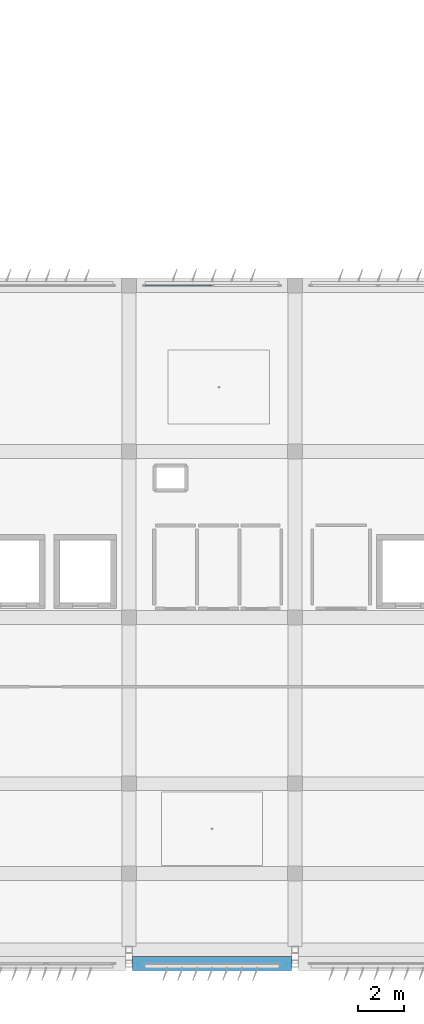
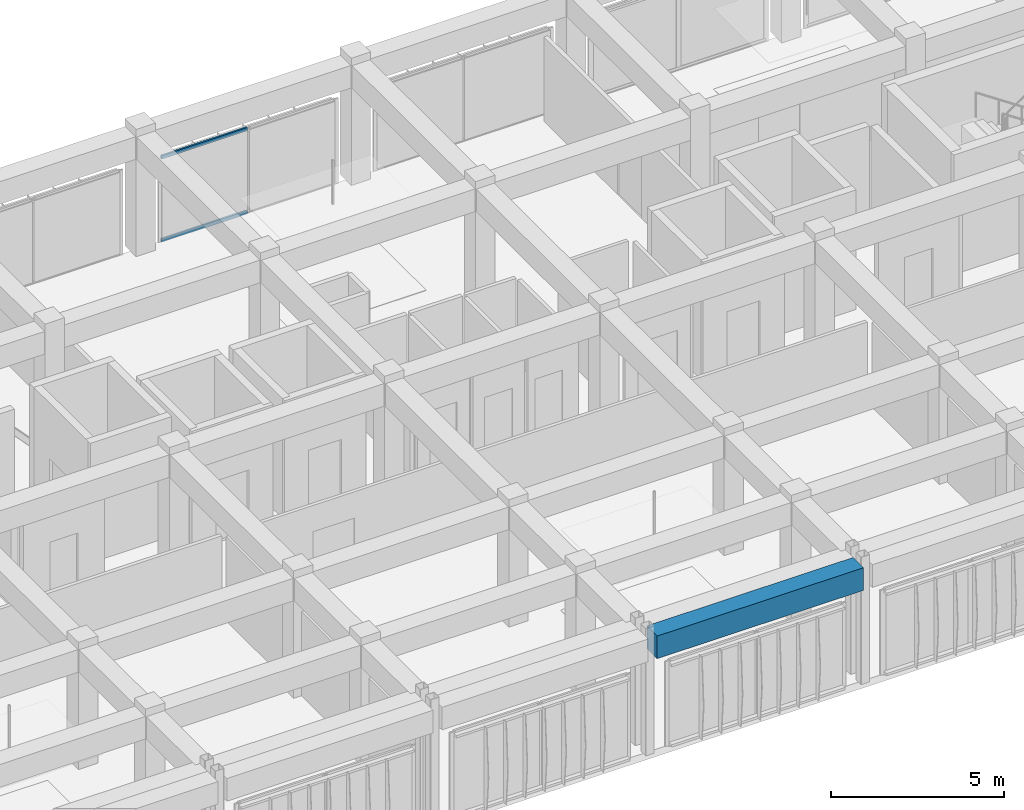
# One storey, part 17 of 56: 2 members, 1 beam, 1 element without a shape of its own.
"""IFC4 building model written with IfcOpenShell, lengths in metres."""

from ifc_helpers import new_model, si_unit, direction, frame, origin, origin_2d, place, context, subcontext, project, spatial, rectangle, hollow_rectangle, extrude, material, material_profile, profile_set, type_object, element, aggregate, save


model = new_model("IFC4")

# Units and contexts
model_context = context("Model", 3, precision=1e-05, world=origin(), true_north=direction((0.0, 1.0)))
body_context = subcontext(model_context, "Body", "Model", "MODEL_VIEW")
ifc_project = project(units=[si_unit("LENGTHUNIT", "METRE"), si_unit("AREAUNIT", "SQUARE_METRE"), si_unit("VOLUMEUNIT", "CUBIC_METRE"), si_unit("PLANEANGLEUNIT", "RADIAN"), si_unit("MASSUNIT", "GRAM", prefix="KILO")], contexts=[model_context])

# Site, building, storey
site_placement = place(None, origin())
site = spatial("IfcSite", under=ifc_project, at=site_placement, CompositionType="ELEMENT")
building_placement = place(site_placement, origin())
building = spatial("IfcBuilding", under=site, at=building_placement, Name="Kazehaya Institute of Natural Sciences", CompositionType="ELEMENT")
storey_placement = place(building_placement, frame((0.0, 0.0, 28.800048828125)))
storey = spatial("IfcBuildingStorey", under=building, at=storey_placement, Name="L06", CompositionType="ELEMENT", Elevation=28.800048828125)

# Beam
ifc_material_1 = material(Name="Concrete Fc36", Category="concrete")
ifc_material_profile_1 = material_profile(ifc_material_1, rectangle(XDim=0.60009765625, YDim=0.800048828125, at=origin_2d()), Name="RC-600x800")
ifc_profile_set_1 = profile_set([ifc_material_profile_1], Name="Concrete Fc36")
beam_type = type_object("IfcBeamType", Name="BM-G-600x800", PredefinedType="BEAM", material=ifc_profile_set_1)
beam_placement = place(storey_placement, frame((83.550048828125, 6.199951171875, 3.829833984375), z_axis=(1.0, 0.0, 0.0), x_axis=(0.0, 1.0, 0.0)))
element("IfcBeam", 1, at=beam_placement, inside=storey, type_object=beam_type, Name="L06 primary X girder BMX-L06-834-62", PredefinedType="BEAM", context=body_context, shape_type="SweptSolid", body=[
    extrude(rectangle(XDim=0.60009765625, YDim=0.800048828125, at=origin_2d()), origin(), (0.0, 0.0, 1.0), 6.89990234375),
])

# Curtain wall, members
ifc_material_2 = material(Name="Aluminium alloy A6063S-T5", Category="aluminium")
curtain_wall_type = type_object("IfcCurtainWallType", Name="CW-SYS-04", PredefinedType="NOTDEFINED", material=ifc_material_2)
curtain_wall_placement = place(storey_placement, origin())
curtain_wall = element("IfcCurtainWall", 2, at=curtain_wall_placement, inside=storey, type_object=curtain_wall_type, Name="L06 unitised curtain wall CW-L06-133", PredefinedType="NOTDEFINED")
ifc_material_profile_2 = material_profile(ifc_material_2, hollow_rectangle(XDim=0.06005859375, YDim=0.1201171875, WallThickness=0.00341796875, at=origin_2d()), Name="ALU-60x120x3.5")
ifc_profile_set_2 = profile_set([ifc_material_profile_2], Name="Aluminium alloy A6063S-T5")
member_type = type_object("IfcMemberType", Name="CWT-120", PredefinedType="USERDEFINED", material=ifc_profile_set_2)
member_1_placement = place(storey_placement, frame((84.10009765625, 35.60009765625, 0.030029296875), z_axis=(1.0, 0.0, 0.0), x_axis=(0.0, 1.0, 0.0)))
member_1 = element("IfcMember", 3, at=member_1_placement, type_object=member_type, Name="CW04 transom 1.1", ObjectType="TRANSOM", PredefinedType="USERDEFINED", context=body_context, shape_type="SweptSolid", body=[
    extrude(hollow_rectangle(XDim=0.06005859375, YDim=0.1201171875, WallThickness=0.00341796875, at=origin_2d()), origin(), (0.0, 0.0, 1.0), 2.869873046875),
])
member_2_placement = place(storey_placement, frame((84.10009765625, 35.60009765625, 2.969970703125), z_axis=(1.0, 0.0, 0.0), x_axis=(0.0, 1.0, 0.0)))
member_2 = element("IfcMember", 4, at=member_2_placement, type_object=member_type, Name="CW04 transom 1.2", ObjectType="TRANSOM", PredefinedType="USERDEFINED", context=body_context, shape_type="SweptSolid", body=[
    extrude(hollow_rectangle(XDim=0.06005859375, YDim=0.1201171875, WallThickness=0.00341796875, at=origin_2d()), origin(), (0.0, 0.0, 1.0), 2.869873046875),
])
aggregate(curtain_wall, [member_1, member_2])

save(model, "model.ifc")
